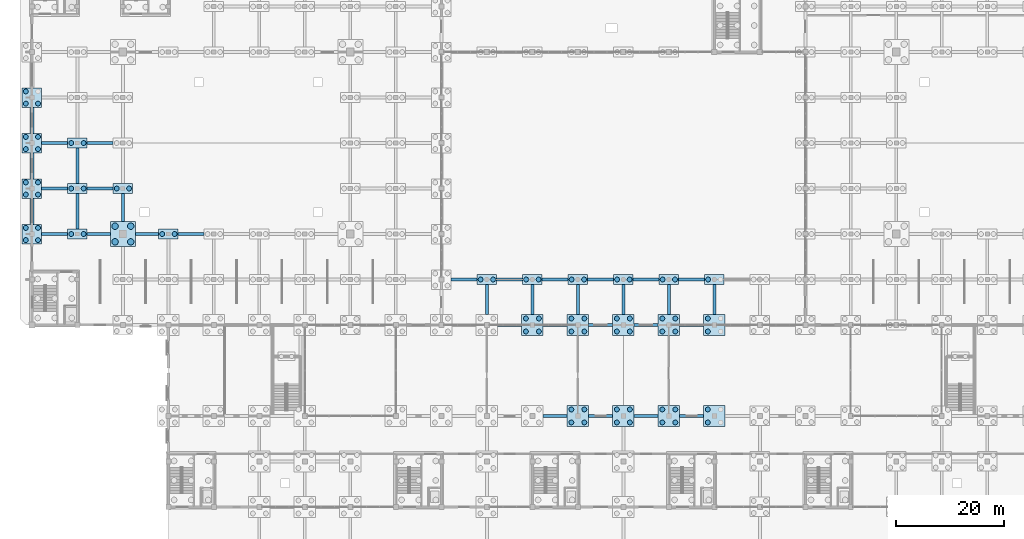
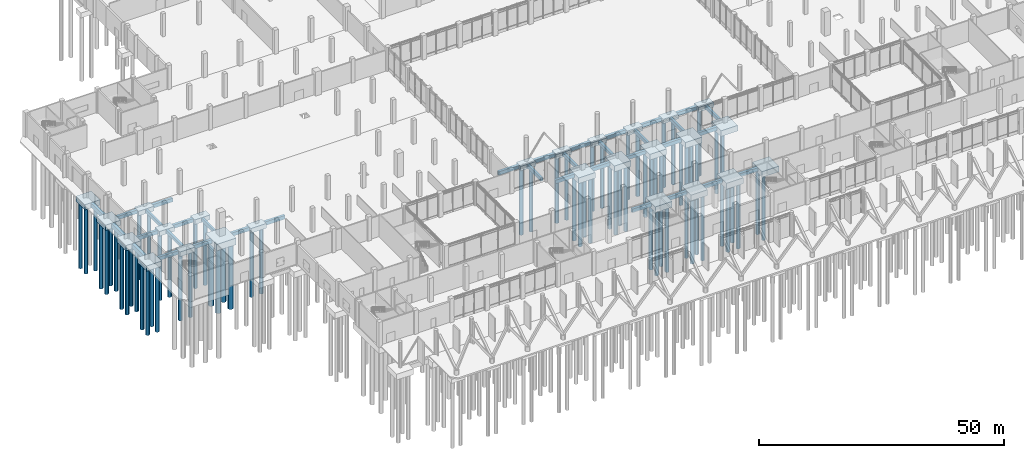
# One storey, part 4 of 72: 72 piles, 60 footings.
"""IFC4 building model written with IfcOpenShell, lengths in metres."""

from ifc_helpers import new_model, si_unit, direction, frame, origin, origin_2d, place, context, subcontext, project, spatial, rectangle, circle, extrude, material, layer, layer_set, material_profile, profile_set, type_object, element, save


model = new_model("IFC4")

# Units and contexts
model_context = context("Model", 3, precision=1e-05, world=origin(), true_north=direction((0.0, 1.0)))
body_context = subcontext(model_context, "Body", "Model", "MODEL_VIEW")
ifc_project = project(units=[si_unit("LENGTHUNIT", "METRE"), si_unit("AREAUNIT", "SQUARE_METRE"), si_unit("VOLUMEUNIT", "CUBIC_METRE"), si_unit("PLANEANGLEUNIT", "RADIAN"), si_unit("MASSUNIT", "GRAM", prefix="KILO")], contexts=[model_context])

# Site, building, storey
site_placement = place(None, origin())
site = spatial("IfcSite", under=ifc_project, at=site_placement, CompositionType="ELEMENT")
building_placement = place(site_placement, origin())
building = spatial("IfcBuilding", under=site, at=building_placement, Name="Qawsi Khor Wholesale Market", CompositionType="ELEMENT")
storey_placement = place(building_placement, origin())
storey = spatial("IfcBuildingStorey", under=building, at=storey_placement, Name="L00", CompositionType="ELEMENT", Elevation=0.0)

# Piles
ifc_material = material(Name="Concrete C45/55", Category="concrete")
ifc_material_profile_1 = material_profile(ifc_material, circle(Radius=0.60009765625, at=origin_2d()), Name="PILE D1200")
ifc_profile_set_1 = profile_set([ifc_material_profile_1], Name="Concrete C45/55")
pile_type_1 = type_object("IfcPileType", Name="Bored Pile D1200 C45/55", PredefinedType="BORED", material=ifc_profile_set_1)
for number, where, z_axis, x_axis, name in (
    (1, (15.35009765625, 57.35009765625, -1.93994140625), (0.0, 0.0, -1.0), (1.0, 0.0, 0.0), "Mega-column pile 02_+07-1"),
    (2, (18.25, 57.35009765625, -1.93994140625), (0.0, 0.0, -1.0), (1.0, 0.0, 0.0), "Mega-column pile 02_+07-2"),
    (3, (15.35009765625, 60.25, -1.93994140625), (0.0, 0.0, -1.0), (1.0, 0.0, 0.0), "Mega-column pile 02_+07-3"),
    (4, (18.25, 60.25, -1.93994140625), (0.0, 0.0, -1.0), (1.0, 0.0, 0.0), "Mega-column pile 02_+07-4"),
):
    element("IfcPile", number, at=place(storey_placement, frame(where, z_axis=z_axis, x_axis=x_axis)), inside=storey, type_object=pile_type_1, Name=name, PredefinedType="BORED", context=body_context, shape_type="SweptSolid", body=[
        extrude(circle(Radius=0.60009765625, at=origin_2d()), origin(), (0.0, 0.0, 1.0), 16.06005859375),
    ])
ifc_material_profile_2 = material_profile(ifc_material, circle(Radius=0.449951171875, at=origin_2d()), Name="PILE D900")
ifc_profile_set_2 = profile_set([ifc_material_profile_2], Name="Concrete C45/55")
pile_type_2 = type_object("IfcPileType", Name="Bored Pile D900 C45/55", PredefinedType="BORED", material=ifc_profile_set_2)
for number, where, z_axis, x_axis, name in (
    (5, (-1.125, 57.675048828125, -1.610107421875), (0.0, 0.0, -1.0), (1.0, 0.0, 0.0), "Bored pile 00_+07-1"),
    (6, (1.125, 57.675048828125, -1.610107421875), (0.0, 0.0, -1.0), (1.0, 0.0, 0.0), "Bored pile 00_+07-2"),
    (7, (-1.125, 59.925048828125, -1.610107421875), (0.0, 0.0, -1.0), (1.0, 0.0, 0.0), "Bored pile 00_+07-3"),
    (8, (1.125, 59.925048828125, -1.610107421875), (0.0, 0.0, -1.0), (1.0, 0.0, 0.0), "Bored pile 00_+07-4"),
    (9, (-1.125, 66.074951171875, -1.610107421875), (0.0, 0.0, -1.0), (1.0, 0.0, 0.0), "Bored pile 00_+08-1"),
    (10, (1.125, 66.074951171875, -1.610107421875), (0.0, 0.0, -1.0), (1.0, 0.0, 0.0), "Bored pile 00_+08-2"),
    (11, (-1.125, 68.324951171875, -1.610107421875), (0.0, 0.0, -1.0), (1.0, 0.0, 0.0), "Bored pile 00_+08-3"),
    (12, (1.125, 68.324951171875, -1.610107421875), (0.0, 0.0, -1.0), (1.0, 0.0, 0.0), "Bored pile 00_+08-4"),
    (13, (-1.125, 74.47509765625, -1.610107421875), (0.0, 0.0, -1.0), (1.0, 0.0, 0.0), "Bored pile 00_+09-1"),
    (14, (1.125, 74.47509765625, -1.610107421875), (0.0, 0.0, -1.0), (1.0, 0.0, 0.0), "Bored pile 00_+09-2"),
    (15, (-1.125, 76.72509765625, -1.610107421875), (0.0, 0.0, -1.0), (1.0, 0.0, 0.0), "Bored pile 00_+09-3"),
    (16, (1.125, 76.72509765625, -1.610107421875), (0.0, 0.0, -1.0), (1.0, 0.0, 0.0), "Bored pile 00_+09-4"),
    (17, (-1.125, 82.875, -1.610107421875), (0.0, 0.0, -1.0), (1.0, 0.0, 0.0), "Bored pile 00_+10-1"),
    (18, (1.125, 82.875, -1.610107421875), (0.0, 0.0, -1.0), (1.0, 0.0, 0.0), "Bored pile 00_+10-2"),
    (19, (-1.125, 85.125, -1.610107421875), (0.0, 0.0, -1.0), (1.0, 0.0, 0.0), "Bored pile 00_+10-3"),
):
    element("IfcPile", number, at=place(storey_placement, frame(where, z_axis=z_axis, x_axis=x_axis)), inside=storey, type_object=pile_type_2, Name=name, PredefinedType="BORED", context=body_context, shape_type="SweptSolid", body=[
        extrude(circle(Radius=0.449951171875, at=origin_2d()), origin(), (0.0, 0.0, 1.0), 16.389892578125),
    ])
for number, where, z_axis, x_axis, name in (
    (20, (7.25, 58.800048828125, -1.5), (0.0, 0.0, -1.0), (1.0, 0.0, 0.0), "Bored pile 01_+07-1"),
    (21, (9.550048828125, 58.800048828125, -1.5), (0.0, 0.0, -1.0), (1.0, 0.0, 0.0), "Bored pile 01_+07-2"),
    (22, (7.25, 67.199951171875, -1.5), (0.0, 0.0, -1.0), (1.0, 0.0, 0.0), "Bored pile 01_+08-1"),
    (23, (9.550048828125, 67.199951171875, -1.5), (0.0, 0.0, -1.0), (1.0, 0.0, 0.0), "Bored pile 01_+08-2"),
    (24, (7.25, 75.60009765625, -1.5), (0.0, 0.0, -1.0), (1.0, 0.0, 0.0), "Bored pile 01_+09-1"),
    (25, (9.550048828125, 75.60009765625, -1.5), (0.0, 0.0, -1.0), (1.0, 0.0, 0.0), "Bored pile 01_+09-2"),
    (26, (15.64990234375, 67.199951171875, -1.5), (0.0, 0.0, -1.0), (1.0, 0.0, 0.0), "Bored pile 02_+08-1"),
    (27, (17.949951171875, 67.199951171875, -1.5), (0.0, 0.0, -1.0), (1.0, 0.0, 0.0), "Bored pile 02_+08-2"),
    (28, (24.050048828125, 58.800048828125, -1.5), (0.0, 0.0, -1.0), (1.0, 0.0, 0.0), "Bored pile 03_+07-1"),
    (29, (26.35009765625, 58.800048828125, -1.5), (0.0, 0.0, -1.0), (1.0, 0.0, 0.0), "Bored pile 03_+07-2"),
    (30, (82.85009765625, 50.39990234375, -1.5), (0.0, 0.0, -1.0), (1.0, 0.0, 0.0), "Bored pile 10_+06-1"),
    (31, (85.14990234375, 50.39990234375, -1.5), (0.0, 0.0, -1.0), (1.0, 0.0, 0.0), "Bored pile 10_+06-2"),
):
    element("IfcPile", number, at=place(storey_placement, frame(where, z_axis=z_axis, x_axis=x_axis)), inside=storey, type_object=pile_type_2, Name=name, PredefinedType="BORED", context=body_context, shape_type="SweptSolid", body=[
        extrude(circle(Radius=0.449951171875, at=origin_2d()), origin(), (0.0, 0.0, 1.0), 16.5),
    ])
for number, where, z_axis, x_axis, name in (
    (32, (91.199951171875, 40.800048828125, -1.72998046875), (0.0, 0.0, -1.0), (1.0, 0.0, 0.0), "Bored pile 11_+05-1"),
    (33, (93.60009765625, 40.800048828125, -1.72998046875), (0.0, 0.0, -1.0), (1.0, 0.0, 0.0), "Bored pile 11_+05-2"),
    (34, (91.199951171875, 43.199951171875, -1.72998046875), (0.0, 0.0, -1.0), (1.0, 0.0, 0.0), "Bored pile 11_+05-3"),
    (35, (93.60009765625, 43.199951171875, -1.72998046875), (0.0, 0.0, -1.0), (1.0, 0.0, 0.0), "Bored pile 11_+05-4"),
):
    element("IfcPile", number, at=place(storey_placement, frame(where, z_axis=z_axis, x_axis=x_axis)), inside=storey, type_object=pile_type_2, Name=name, PredefinedType="BORED", context=body_context, shape_type="SweptSolid", body=[
        extrude(circle(Radius=0.449951171875, at=origin_2d()), origin(), (0.0, 0.0, 1.0), 16.27001953125),
    ])
for number, where, z_axis, x_axis, name in (
    (36, (91.25, 50.39990234375, -1.5), (0.0, 0.0, -1.0), (1.0, 0.0, 0.0), "Bored pile 11_+06-1"),
    (37, (93.550048828125, 50.39990234375, -1.5), (0.0, 0.0, -1.0), (1.0, 0.0, 0.0), "Bored pile 11_+06-2"),
):
    element("IfcPile", number, at=place(storey_placement, frame(where, z_axis=z_axis, x_axis=x_axis)), inside=storey, type_object=pile_type_2, Name=name, PredefinedType="BORED", context=body_context, shape_type="SweptSolid", body=[
        extrude(circle(Radius=0.449951171875, at=origin_2d()), origin(), (0.0, 0.0, 1.0), 16.5),
    ])
for number, where, z_axis, x_axis, name in (
    (38, (99.60009765625, 24.0, -1.72998046875), (0.0, 0.0, -1.0), (1.0, 0.0, 0.0), "Bored pile 12_+03-1"),
    (39, (102.0, 24.0, -1.72998046875), (0.0, 0.0, -1.0), (1.0, 0.0, 0.0), "Bored pile 12_+03-2"),
    (40, (99.60009765625, 26.39990234375, -1.72998046875), (0.0, 0.0, -1.0), (1.0, 0.0, 0.0), "Bored pile 12_+03-3"),
    (41, (102.0, 26.39990234375, -1.72998046875), (0.0, 0.0, -1.0), (1.0, 0.0, 0.0), "Bored pile 12_+03-4"),
    (42, (99.60009765625, 40.800048828125, -1.72998046875), (0.0, 0.0, -1.0), (1.0, 0.0, 0.0), "Bored pile 12_+05-1"),
    (43, (102.0, 40.800048828125, -1.72998046875), (0.0, 0.0, -1.0), (1.0, 0.0, 0.0), "Bored pile 12_+05-2"),
    (44, (99.60009765625, 43.199951171875, -1.72998046875), (0.0, 0.0, -1.0), (1.0, 0.0, 0.0), "Bored pile 12_+05-3"),
    (45, (102.0, 43.199951171875, -1.72998046875), (0.0, 0.0, -1.0), (1.0, 0.0, 0.0), "Bored pile 12_+05-4"),
):
    element("IfcPile", number, at=place(storey_placement, frame(where, z_axis=z_axis, x_axis=x_axis)), inside=storey, type_object=pile_type_2, Name=name, PredefinedType="BORED", context=body_context, shape_type="SweptSolid", body=[
        extrude(circle(Radius=0.449951171875, at=origin_2d()), origin(), (0.0, 0.0, 1.0), 16.27001953125),
    ])
for number, where, z_axis, x_axis, name in (
    (46, (99.64990234375, 50.39990234375, -1.5), (0.0, 0.0, -1.0), (1.0, 0.0, 0.0), "Bored pile 12_+06-1"),
    (47, (101.949951171875, 50.39990234375, -1.5), (0.0, 0.0, -1.0), (1.0, 0.0, 0.0), "Bored pile 12_+06-2"),
):
    element("IfcPile", number, at=place(storey_placement, frame(where, z_axis=z_axis, x_axis=x_axis)), inside=storey, type_object=pile_type_2, Name=name, PredefinedType="BORED", context=body_context, shape_type="SweptSolid", body=[
        extrude(circle(Radius=0.449951171875, at=origin_2d()), origin(), (0.0, 0.0, 1.0), 16.5),
    ])
for number, where, z_axis, x_axis, name in (
    (48, (108.0, 24.0, -1.72998046875), (0.0, 0.0, -1.0), (1.0, 0.0, 0.0), "Bored pile 13_+03-1"),
    (49, (110.39990234375, 24.0, -1.72998046875), (0.0, 0.0, -1.0), (1.0, 0.0, 0.0), "Bored pile 13_+03-2"),
    (50, (108.0, 26.39990234375, -1.72998046875), (0.0, 0.0, -1.0), (1.0, 0.0, 0.0), "Bored pile 13_+03-3"),
    (51, (110.39990234375, 26.39990234375, -1.72998046875), (0.0, 0.0, -1.0), (1.0, 0.0, 0.0), "Bored pile 13_+03-4"),
    (52, (108.0, 40.800048828125, -1.72998046875), (0.0, 0.0, -1.0), (1.0, 0.0, 0.0), "Bored pile 13_+05-1"),
    (53, (110.39990234375, 40.800048828125, -1.72998046875), (0.0, 0.0, -1.0), (1.0, 0.0, 0.0), "Bored pile 13_+05-2"),
    (54, (108.0, 43.199951171875, -1.72998046875), (0.0, 0.0, -1.0), (1.0, 0.0, 0.0), "Bored pile 13_+05-3"),
    (55, (110.39990234375, 43.199951171875, -1.72998046875), (0.0, 0.0, -1.0), (1.0, 0.0, 0.0), "Bored pile 13_+05-4"),
):
    element("IfcPile", number, at=place(storey_placement, frame(where, z_axis=z_axis, x_axis=x_axis)), inside=storey, type_object=pile_type_2, Name=name, PredefinedType="BORED", context=body_context, shape_type="SweptSolid", body=[
        extrude(circle(Radius=0.449951171875, at=origin_2d()), origin(), (0.0, 0.0, 1.0), 16.27001953125),
    ])
for number, where, z_axis, x_axis, name in (
    (56, (108.050048828125, 50.39990234375, -1.5), (0.0, 0.0, -1.0), (1.0, 0.0, 0.0), "Bored pile 13_+06-1"),
    (57, (110.35009765625, 50.39990234375, -1.5), (0.0, 0.0, -1.0), (1.0, 0.0, 0.0), "Bored pile 13_+06-2"),
):
    element("IfcPile", number, at=place(storey_placement, frame(where, z_axis=z_axis, x_axis=x_axis)), inside=storey, type_object=pile_type_2, Name=name, PredefinedType="BORED", context=body_context, shape_type="SweptSolid", body=[
        extrude(circle(Radius=0.449951171875, at=origin_2d()), origin(), (0.0, 0.0, 1.0), 16.5),
    ])
for number, where, z_axis, x_axis, name in (
    (58, (116.39990234375, 24.0, -1.72998046875), (0.0, 0.0, -1.0), (1.0, 0.0, 0.0), "Bored pile 14_+03-1"),
    (59, (118.800048828125, 24.0, -1.72998046875), (0.0, 0.0, -1.0), (1.0, 0.0, 0.0), "Bored pile 14_+03-2"),
    (60, (116.39990234375, 26.39990234375, -1.72998046875), (0.0, 0.0, -1.0), (1.0, 0.0, 0.0), "Bored pile 14_+03-3"),
    (61, (118.800048828125, 26.39990234375, -1.72998046875), (0.0, 0.0, -1.0), (1.0, 0.0, 0.0), "Bored pile 14_+03-4"),
    (62, (116.39990234375, 40.800048828125, -1.72998046875), (0.0, 0.0, -1.0), (1.0, 0.0, 0.0), "Bored pile 14_+05-1"),
    (63, (118.800048828125, 40.800048828125, -1.72998046875), (0.0, 0.0, -1.0), (1.0, 0.0, 0.0), "Bored pile 14_+05-2"),
    (64, (116.39990234375, 43.199951171875, -1.72998046875), (0.0, 0.0, -1.0), (1.0, 0.0, 0.0), "Bored pile 14_+05-3"),
    (65, (118.800048828125, 43.199951171875, -1.72998046875), (0.0, 0.0, -1.0), (1.0, 0.0, 0.0), "Bored pile 14_+05-4"),
):
    element("IfcPile", number, at=place(storey_placement, frame(where, z_axis=z_axis, x_axis=x_axis)), inside=storey, type_object=pile_type_2, Name=name, PredefinedType="BORED", context=body_context, shape_type="SweptSolid", body=[
        extrude(circle(Radius=0.449951171875, at=origin_2d()), origin(), (0.0, 0.0, 1.0), 16.27001953125),
    ])
for number, where, z_axis, x_axis, name in (
    (66, (116.449951171875, 50.39990234375, -1.5), (0.0, 0.0, -1.0), (1.0, 0.0, 0.0), "Bored pile 14_+06-1"),
    (67, (118.75, 50.39990234375, -1.5), (0.0, 0.0, -1.0), (1.0, 0.0, 0.0), "Bored pile 14_+06-2"),
):
    element("IfcPile", number, at=place(storey_placement, frame(where, z_axis=z_axis, x_axis=x_axis)), inside=storey, type_object=pile_type_2, Name=name, PredefinedType="BORED", context=body_context, shape_type="SweptSolid", body=[
        extrude(circle(Radius=0.449951171875, at=origin_2d()), origin(), (0.0, 0.0, 1.0), 16.5),
    ])
for number, where, z_axis, x_axis, name in (
    (68, (124.800048828125, 24.0, -1.72998046875), (0.0, 0.0, -1.0), (1.0, 0.0, 0.0), "Bored pile 15_+03-1"),
    (69, (124.800048828125, 26.39990234375, -1.72998046875), (0.0, 0.0, -1.0), (1.0, 0.0, 0.0), "Bored pile 15_+03-3"),
    (70, (124.800048828125, 40.800048828125, -1.72998046875), (0.0, 0.0, -1.0), (1.0, 0.0, 0.0), "Bored pile 15_+05-1"),
    (71, (124.800048828125, 43.199951171875, -1.72998046875), (0.0, 0.0, -1.0), (1.0, 0.0, 0.0), "Bored pile 15_+05-3"),
):
    element("IfcPile", number, at=place(storey_placement, frame(where, z_axis=z_axis, x_axis=x_axis)), inside=storey, type_object=pile_type_2, Name=name, PredefinedType="BORED", context=body_context, shape_type="SweptSolid", body=[
        extrude(circle(Radius=0.449951171875, at=origin_2d()), origin(), (0.0, 0.0, 1.0), 16.27001953125),
    ])
pile_placement = place(storey_placement, frame((124.85009765625, 50.39990234375, -1.5), z_axis=(0.0, 0.0, -1.0), x_axis=(1.0, 0.0, 0.0)))
element("IfcPile", 72, at=pile_placement, inside=storey, type_object=pile_type_2, Name="Bored pile 15_+06-1", PredefinedType="BORED", context=body_context, shape_type="SweptSolid", body=[
    extrude(circle(Radius=0.449951171875, at=origin_2d()), origin(), (0.0, 0.0, 1.0), 16.5),
])

# Footings
ifc_material_profile_3 = material_profile(ifc_material, rectangle(XDim=0.60009765625, YDim=0.89990234375, at=origin_2d()), Name="RC 600x900")
ifc_profile_set_3 = profile_set([ifc_material_profile_3], Name="Concrete C45/55")
footing_type_1 = type_object("IfcFootingType", Name="Ground Tie-Beam GTB 600x900", PredefinedType="FOOTING_BEAM", material=ifc_profile_set_3)
for number, where, z_axis, x_axis, name in (
    (73, (1.800048828125, 58.800048828125, -0.840087890625), (1.0, 0.0, 0.0), (0.0, 1.0, 0.0), "Ground tie-beam X 0-1 at Y=58.8"),
    (74, (1.800048828125, 67.199951171875, -0.840087890625), (1.0, 0.0, 0.0), (0.0, 1.0, 0.0), "Ground tie-beam X 0-1 at Y=67.2"),
    (75, (1.800048828125, 75.60009765625, -0.840087890625), (1.0, 0.0, 0.0), (0.0, 1.0, 0.0), "Ground tie-beam X 0-1 at Y=75.6"),
):
    element("IfcFooting", number, at=place(storey_placement, frame(where, z_axis=z_axis, x_axis=x_axis)), inside=storey, type_object=footing_type_1, Name=name, PredefinedType="FOOTING_BEAM", context=body_context, shape_type="SweptSolid", body=[
        extrude(rectangle(XDim=0.60009765625, YDim=0.89990234375, at=origin_2d()), origin(), (0.0, 0.0, 1.0), 4.800048828125),
    ])
footing_1_placement = place(storey_placement, frame((10.199951171875, 58.800048828125, -0.840087890625), z_axis=(1.0, 0.0, 0.0), x_axis=(0.0, 1.0, 0.0)))
element("IfcFooting", 76, at=footing_1_placement, inside=storey, type_object=footing_type_1, Name="Ground tie-beam X 1-2 at Y=58.8", PredefinedType="FOOTING_BEAM", context=body_context, shape_type="SweptSolid", body=[
    extrude(rectangle(XDim=0.60009765625, YDim=0.89990234375, at=origin_2d()), origin(), (0.0, 0.0, 1.0), 4.300048828125),
])
for number, where, z_axis, x_axis, name in (
    (77, (10.199951171875, 67.199951171875, -0.840087890625), (1.0, 0.0, 0.0), (0.0, 1.0, 0.0), "Ground tie-beam X 1-2 at Y=67.2"),
    (78, (10.199951171875, 75.60009765625, -0.840087890625), (1.0, 0.0, 0.0), (0.0, 1.0, 0.0), "Ground tie-beam X 1-2 at Y=75.6"),
):
    element("IfcFooting", number, at=place(storey_placement, frame(where, z_axis=z_axis, x_axis=x_axis)), inside=storey, type_object=footing_type_1, Name=name, PredefinedType="FOOTING_BEAM", context=body_context, shape_type="SweptSolid", body=[
        extrude(rectangle(XDim=0.60009765625, YDim=0.89990234375, at=origin_2d()), origin(), (0.0, 0.0, 1.0), 4.800048828125),
    ])
footing_2_placement = place(storey_placement, frame((19.10009765625, 58.800048828125, -0.840087890625), z_axis=(1.0, 0.0, 0.0), x_axis=(0.0, 1.0, 0.0)))
element("IfcFooting", 79, at=footing_2_placement, inside=storey, type_object=footing_type_1, Name="Ground tie-beam X 2-3 at Y=58.8", PredefinedType="FOOTING_BEAM", context=body_context, shape_type="SweptSolid", body=[
    extrude(rectangle(XDim=0.60009765625, YDim=0.89990234375, at=origin_2d()), origin(), (0.0, 0.0, 1.0), 4.2998046875),
])
for number, where, z_axis, x_axis, name in (
    (80, (27.0, 58.800048828125, -0.840087890625), (1.0, 0.0, 0.0), (0.0, 1.0, 0.0), "Ground tie-beam X 3-4 at Y=58.8"),
    (81, (77.39990234375, 50.39990234375, -0.840087890625), (1.0, 0.0, 0.0), (0.0, 1.0, 0.0), "Ground tie-beam X 9-10 at Y=50.4"),
):
    element("IfcFooting", number, at=place(storey_placement, frame(where, z_axis=z_axis, x_axis=x_axis)), inside=storey, type_object=footing_type_1, Name=name, PredefinedType="FOOTING_BEAM", context=body_context, shape_type="SweptSolid", body=[
        extrude(rectangle(XDim=0.60009765625, YDim=0.89990234375, at=origin_2d()), origin(), (0.0, 0.0, 1.0), 4.800048828125),
    ])
footing_3_placement = place(storey_placement, frame((85.97509765625, 42.0, -0.840087890625), z_axis=(1.0, 0.0, 0.0), x_axis=(0.0, 1.0, 0.0)))
element("IfcFooting", 82, at=footing_3_placement, inside=storey, type_object=footing_type_1, Name="Ground tie-beam X 10-11 at Y=42.0", PredefinedType="FOOTING_BEAM", context=body_context, shape_type="SweptSolid", body=[
    extrude(rectangle(XDim=0.60009765625, YDim=0.89990234375, at=origin_2d()), origin(), (0.0, 0.0, 1.0), 4.449951171875),
])
footing_4_placement = place(storey_placement, frame((85.800048828125, 50.39990234375, -0.840087890625), z_axis=(1.0, 0.0, 0.0), x_axis=(0.0, 1.0, 0.0)))
element("IfcFooting", 83, at=footing_4_placement, inside=storey, type_object=footing_type_1, Name="Ground tie-beam X 10-11 at Y=50.4", PredefinedType="FOOTING_BEAM", context=body_context, shape_type="SweptSolid", body=[
    extrude(rectangle(XDim=0.60009765625, YDim=0.89990234375, at=origin_2d()), origin(), (0.0, 0.0, 1.0), 4.800048828125),
])
for number, where, z_axis, x_axis, name in (
    (84, (94.375, 25.199951171875, -0.840087890625), (1.0, 0.0, 0.0), (0.0, 1.0, 0.0), "Ground tie-beam X 11-12 at Y=25.2"),
    (85, (94.375, 42.0, -0.840087890625), (1.0, 0.0, 0.0), (0.0, 1.0, 0.0), "Ground tie-beam X 11-12 at Y=42.0"),
):
    element("IfcFooting", number, at=place(storey_placement, frame(where, z_axis=z_axis, x_axis=x_axis)), inside=storey, type_object=footing_type_1, Name=name, PredefinedType="FOOTING_BEAM", context=body_context, shape_type="SweptSolid", body=[
        extrude(rectangle(XDim=0.60009765625, YDim=0.89990234375, at=origin_2d()), origin(), (0.0, 0.0, 1.0), 4.449951171875),
    ])
footing_5_placement = place(storey_placement, frame((94.199951171875, 50.39990234375, -0.840087890625), z_axis=(1.0, 0.0, 0.0), x_axis=(0.0, 1.0, 0.0)))
element("IfcFooting", 86, at=footing_5_placement, inside=storey, type_object=footing_type_1, Name="Ground tie-beam X 11-12 at Y=50.4", PredefinedType="FOOTING_BEAM", context=body_context, shape_type="SweptSolid", body=[
    extrude(rectangle(XDim=0.60009765625, YDim=0.89990234375, at=origin_2d()), origin(), (0.0, 0.0, 1.0), 4.800048828125),
])
for number, where, z_axis, x_axis, name in (
    (87, (102.77490234375, 25.199951171875, -0.840087890625), (1.0, 0.0, 0.0), (0.0, 1.0, 0.0), "Ground tie-beam X 12-13 at Y=25.2"),
    (88, (102.77490234375, 42.0, -0.840087890625), (1.0, 0.0, 0.0), (0.0, 1.0, 0.0), "Ground tie-beam X 12-13 at Y=42.0"),
):
    element("IfcFooting", number, at=place(storey_placement, frame(where, z_axis=z_axis, x_axis=x_axis)), inside=storey, type_object=footing_type_1, Name=name, PredefinedType="FOOTING_BEAM", context=body_context, shape_type="SweptSolid", body=[
        extrude(rectangle(XDim=0.60009765625, YDim=0.89990234375, at=origin_2d()), origin(), (0.0, 0.0, 1.0), 4.4501953125),
    ])
footing_6_placement = place(storey_placement, frame((102.60009765625, 50.39990234375, -0.840087890625), z_axis=(1.0, 0.0, 0.0), x_axis=(0.0, 1.0, 0.0)))
element("IfcFooting", 89, at=footing_6_placement, inside=storey, type_object=footing_type_1, Name="Ground tie-beam X 12-13 at Y=50.4", PredefinedType="FOOTING_BEAM", context=body_context, shape_type="SweptSolid", body=[
    extrude(rectangle(XDim=0.60009765625, YDim=0.89990234375, at=origin_2d()), origin(), (0.0, 0.0, 1.0), 4.7998046875),
])
for number, where, z_axis, x_axis, name in (
    (90, (111.175048828125, 25.199951171875, -0.840087890625), (1.0, 0.0, 0.0), (0.0, 1.0, 0.0), "Ground tie-beam X 13-14 at Y=25.2"),
    (91, (111.175048828125, 42.0, -0.840087890625), (1.0, 0.0, 0.0), (0.0, 1.0, 0.0), "Ground tie-beam X 13-14 at Y=42.0"),
):
    element("IfcFooting", number, at=place(storey_placement, frame(where, z_axis=z_axis, x_axis=x_axis)), inside=storey, type_object=footing_type_1, Name=name, PredefinedType="FOOTING_BEAM", context=body_context, shape_type="SweptSolid", body=[
        extrude(rectangle(XDim=0.60009765625, YDim=0.89990234375, at=origin_2d()), origin(), (0.0, 0.0, 1.0), 4.449951171875),
    ])
footing_7_placement = place(storey_placement, frame((111.0, 50.39990234375, -0.840087890625), z_axis=(1.0, 0.0, 0.0), x_axis=(0.0, 1.0, 0.0)))
element("IfcFooting", 92, at=footing_7_placement, inside=storey, type_object=footing_type_1, Name="Ground tie-beam X 13-14 at Y=50.4", PredefinedType="FOOTING_BEAM", context=body_context, shape_type="SweptSolid", body=[
    extrude(rectangle(XDim=0.60009765625, YDim=0.89990234375, at=origin_2d()), origin(), (0.0, 0.0, 1.0), 4.800048828125),
])
for number, where, z_axis, x_axis, name in (
    (93, (119.574951171875, 25.199951171875, -0.840087890625), (1.0, 0.0, 0.0), (0.0, 1.0, 0.0), "Ground tie-beam X 14-15 at Y=25.2"),
    (94, (119.574951171875, 42.0, -0.840087890625), (1.0, 0.0, 0.0), (0.0, 1.0, 0.0), "Ground tie-beam X 14-15 at Y=42.0"),
):
    element("IfcFooting", number, at=place(storey_placement, frame(where, z_axis=z_axis, x_axis=x_axis)), inside=storey, type_object=footing_type_1, Name=name, PredefinedType="FOOTING_BEAM", context=body_context, shape_type="SweptSolid", body=[
        extrude(rectangle(XDim=0.60009765625, YDim=0.89990234375, at=origin_2d()), origin(), (0.0, 0.0, 1.0), 4.449951171875),
    ])
footing_8_placement = place(storey_placement, frame((119.39990234375, 50.39990234375, -0.840087890625), z_axis=(1.0, 0.0, 0.0), x_axis=(0.0, 1.0, 0.0)))
element("IfcFooting", 95, at=footing_8_placement, inside=storey, type_object=footing_type_1, Name="Ground tie-beam X 14-15 at Y=50.4", PredefinedType="FOOTING_BEAM", context=body_context, shape_type="SweptSolid", body=[
    extrude(rectangle(XDim=0.60009765625, YDim=0.89990234375, at=origin_2d()), origin(), (0.0, 0.0, 1.0), 4.800048828125),
])
ifc_material_profile_4 = material_profile(ifc_material, rectangle(XDim=0.5, YDim=0.800048828125, at=origin_2d()), Name="RC 500x800")
ifc_profile_set_4 = profile_set([ifc_material_profile_4], Name="Concrete C45/55")
footing_type_2 = type_object("IfcFootingType", Name="Hall Tie-Beam GTB 500x800", PredefinedType="FOOTING_BEAM", material=ifc_profile_set_4)
footing_9_placement = place(storey_placement, frame((8.39990234375, 59.699951171875, -0.7900390625), z_axis=(0.0, 1.0, 0.0), x_axis=(-1.0, 0.0, 0.0)))
element("IfcFooting", 96, at=footing_9_placement, inside=storey, type_object=footing_type_2, Name="Ground tie-beam Y 7-8 at X=8.4", PredefinedType="FOOTING_BEAM", context=body_context, shape_type="SweptSolid", body=[
    extrude(rectangle(XDim=0.5, YDim=0.800048828125, at=origin_2d()), origin(), (0.0, 0.0, 1.0), 6.60009765625),
])
footing_10_placement = place(storey_placement, frame((8.39990234375, 68.10009765625, -0.7900390625), z_axis=(0.0, 1.0, 0.0), x_axis=(-1.0, 0.0, 0.0)))
element("IfcFooting", 97, at=footing_10_placement, inside=storey, type_object=footing_type_2, Name="Ground tie-beam Y 8-9 at X=8.4", PredefinedType="FOOTING_BEAM", context=body_context, shape_type="SweptSolid", body=[
    extrude(rectangle(XDim=0.5, YDim=0.800048828125, at=origin_2d()), origin(), (0.0, 0.0, 1.0), 6.599853515625),
])
footing_11_placement = place(storey_placement, frame((16.800048828125, 61.10009765625, -0.7900390625), z_axis=(0.0, 1.0, 0.0), x_axis=(-1.0, 0.0, 0.0)))
element("IfcFooting", 98, at=footing_11_placement, inside=storey, type_object=footing_type_2, Name="Ground tie-beam Y 7-8 at X=16.8", PredefinedType="FOOTING_BEAM", context=body_context, shape_type="SweptSolid", body=[
    extrude(rectangle(XDim=0.5, YDim=0.800048828125, at=origin_2d()), origin(), (0.0, 0.0, 1.0), 5.199951171875),
])
ifc_material_profile_5 = material_profile(ifc_material, rectangle(XDim=0.550048828125, YDim=0.85009765625, at=origin_2d()), Name="RC 550x850")
ifc_profile_set_5 = profile_set([ifc_material_profile_5], Name="Concrete C45/55")
footing_type_3 = type_object("IfcFootingType", Name="Internal Tie-Beam GTB 550x850", PredefinedType="FOOTING_BEAM", material=ifc_profile_set_5)
for number, where, z_axis, x_axis, name in (
    (99, (84.0, 43.97509765625, -0.81494140625), (0.0, 1.0, 0.0), (-1.0, 0.0, 0.0), "Ground tie-beam Y 5-6 at X=84.0"),
    (100, (92.39990234375, 43.97509765625, -0.81494140625), (0.0, 1.0, 0.0), (-1.0, 0.0, 0.0), "Ground tie-beam Y 5-6 at X=92.4"),
    (101, (100.800048828125, 43.97509765625, -0.81494140625), (0.0, 1.0, 0.0), (-1.0, 0.0, 0.0), "Ground tie-beam Y 5-6 at X=100.8"),
    (102, (109.199951171875, 43.97509765625, -0.81494140625), (0.0, 1.0, 0.0), (-1.0, 0.0, 0.0), "Ground tie-beam Y 5-6 at X=109.2"),
    (103, (117.60009765625, 43.97509765625, -0.81494140625), (0.0, 1.0, 0.0), (-1.0, 0.0, 0.0), "Ground tie-beam Y 5-6 at X=117.6"),
    (104, (126.0, 43.97509765625, -0.81494140625), (0.0, 1.0, 0.0), (-1.0, 0.0, 0.0), "Ground tie-beam Y 5-6 at X=126.0"),
):
    element("IfcFooting", number, at=place(storey_placement, frame(where, z_axis=z_axis, x_axis=x_axis)), inside=storey, type_object=footing_type_3, Name=name, PredefinedType="FOOTING_BEAM", context=body_context, shape_type="SweptSolid", body=[
        extrude(rectangle(XDim=0.550048828125, YDim=0.85009765625, at=origin_2d()), origin(), (0.0, 0.0, 1.0), 5.52490234375),
    ])
ifc_layer_1 = layer(ifc_material, 1.64990234375, Name="Concrete C45/55")
ifc_layer_set_1 = layer_set([ifc_layer_1], Name="Concrete C45/55")
footing_type_4 = type_object("IfcFootingType", Name="Mega-Column Pile Cap PC-4M 4600x4600x1650", PredefinedType="PILE_CAP", material=ifc_layer_set_1)
footing_12_placement = place(storey_placement, frame((16.800048828125, 58.800048828125, -2.010009765625), z_axis=(0.0, 0.0, 1.0), x_axis=(1.0, 0.0, 0.0)))
element("IfcFooting", 105, at=footing_12_placement, inside=storey, type_object=footing_type_4, Name="Mega-column pile cap 02_+07", PredefinedType="PILE_CAP", context=body_context, shape_type="SweptSolid", body=[
    extrude(rectangle(XDim=4.60009765625, YDim=4.60009765625, at=origin_2d()), origin(), (0.0, 0.0, 1.0), 1.64990234375),
])
ifc_material_profile_6 = material_profile(ifc_material, rectangle(XDim=0.699951171875, YDim=1.10009765625, at=origin_2d()), Name="RC 700x1100")
ifc_profile_set_6 = profile_set([ifc_material_profile_6], Name="Concrete C45/55")
footing_type_5 = type_object("IfcFootingType", Name="Perimeter Strip Footing SF 700x1100", PredefinedType="STRIP_FOOTING", material=ifc_profile_set_6)
footing_13_placement = place(storey_placement, frame((0.0, 60.60009765625, -0.93994140625), z_axis=(0.0, 1.0, 0.0), x_axis=(-1.0, 0.0, 0.0)))
element("IfcFooting", 106, at=footing_13_placement, inside=storey, type_object=footing_type_5, Name="Ground tie-beam Y 7-8 at X=0.0", PredefinedType="STRIP_FOOTING", context=body_context, shape_type="SweptSolid", body=[
    extrude(rectangle(XDim=0.699951171875, YDim=1.10009765625, at=origin_2d()), origin(), (0.0, 0.0, 1.0), 4.7998046875),
])
for number, where, z_axis, x_axis, name in (
    (107, (0.0, 69.0, -0.93994140625), (0.0, 1.0, 0.0), (-1.0, 0.0, 0.0), "Ground tie-beam Y 8-9 at X=0.0"),
    (108, (0.0, 77.39990234375, -0.93994140625), (0.0, 1.0, 0.0), (-1.0, 0.0, 0.0), "Ground tie-beam Y 9-10 at X=0.0"),
):
    element("IfcFooting", number, at=place(storey_placement, frame(where, z_axis=z_axis, x_axis=x_axis)), inside=storey, type_object=footing_type_5, Name=name, PredefinedType="STRIP_FOOTING", context=body_context, shape_type="SweptSolid", body=[
        extrude(rectangle(XDim=0.699951171875, YDim=1.10009765625, at=origin_2d()), origin(), (0.0, 0.0, 1.0), 4.800048828125),
    ])
ifc_layer_2 = layer(ifc_material, 1.14990234375, Name="Concrete C45/55")
ifc_layer_set_2 = layer_set([ifc_layer_2], Name="Concrete C45/55")
footing_type_6 = type_object("IfcFootingType", Name="Pile Cap PC-2P 3600x1800x1150", PredefinedType="PILE_CAP", material=ifc_layer_set_2)
for number, where, z_axis, x_axis, name in (
    (109, (8.39990234375, 58.800048828125, -1.510009765625), (0.0, 0.0, 1.0), (1.0, 0.0, 0.0), "Two-pile cap 01_+07"),
    (110, (8.39990234375, 67.199951171875, -1.510009765625), (0.0, 0.0, 1.0), (1.0, 0.0, 0.0), "Two-pile cap 01_+08"),
    (111, (8.39990234375, 75.60009765625, -1.510009765625), (0.0, 0.0, 1.0), (1.0, 0.0, 0.0), "Two-pile cap 01_+09"),
    (112, (16.800048828125, 67.199951171875, -1.510009765625), (0.0, 0.0, 1.0), (1.0, 0.0, 0.0), "Two-pile cap 02_+08"),
    (113, (25.199951171875, 58.800048828125, -1.510009765625), (0.0, 0.0, 1.0), (1.0, 0.0, 0.0), "Two-pile cap 03_+07"),
    (114, (84.0, 50.39990234375, -1.510009765625), (0.0, 0.0, 1.0), (1.0, 0.0, 0.0), "Two-pile cap 10_+06"),
    (115, (92.39990234375, 50.39990234375, -1.510009765625), (0.0, 0.0, 1.0), (1.0, 0.0, 0.0), "Two-pile cap 11_+06"),
    (116, (100.800048828125, 50.39990234375, -1.510009765625), (0.0, 0.0, 1.0), (1.0, 0.0, 0.0), "Two-pile cap 12_+06"),
    (117, (109.199951171875, 50.39990234375, -1.510009765625), (0.0, 0.0, 1.0), (1.0, 0.0, 0.0), "Two-pile cap 13_+06"),
    (118, (117.60009765625, 50.39990234375, -1.510009765625), (0.0, 0.0, 1.0), (1.0, 0.0, 0.0), "Two-pile cap 14_+06"),
    (119, (126.0, 50.39990234375, -1.510009765625), (0.0, 0.0, 1.0), (1.0, 0.0, 0.0), "Two-pile cap 15_+06"),
):
    element("IfcFooting", number, at=place(storey_placement, frame(where, z_axis=z_axis, x_axis=x_axis)), inside=storey, type_object=footing_type_6, Name=name, PredefinedType="PILE_CAP", context=body_context, shape_type="SweptSolid", body=[
        extrude(rectangle(XDim=3.60009765625, YDim=1.800048828125, at=origin_2d()), origin(), (0.0, 0.0, 1.0), 1.14990234375),
    ])
ifc_layer_3 = layer(ifc_material, 1.43994140625, Name="Concrete C45/55")
ifc_layer_set_3 = layer_set([ifc_layer_3], Name="Concrete C45/55")
footing_type_7 = type_object("IfcFootingType", Name="Pile Cap PC-4H 3950x3950x1440", PredefinedType="PILE_CAP", material=ifc_layer_set_3)
for number, where, z_axis, x_axis, name in (
    (120, (92.39990234375, 42.0, -1.800048828125), (0.0, 0.0, 1.0), (1.0, 0.0, 0.0), "Four-pile heavy cap 11_+05"),
    (121, (100.800048828125, 25.199951171875, -1.800048828125), (0.0, 0.0, 1.0), (1.0, 0.0, 0.0), "Four-pile heavy cap 12_+03"),
    (122, (100.800048828125, 42.0, -1.800048828125), (0.0, 0.0, 1.0), (1.0, 0.0, 0.0), "Four-pile heavy cap 12_+05"),
    (123, (109.199951171875, 25.199951171875, -1.800048828125), (0.0, 0.0, 1.0), (1.0, 0.0, 0.0), "Four-pile heavy cap 13_+03"),
    (124, (109.199951171875, 42.0, -1.800048828125), (0.0, 0.0, 1.0), (1.0, 0.0, 0.0), "Four-pile heavy cap 13_+05"),
    (125, (117.60009765625, 25.199951171875, -1.800048828125), (0.0, 0.0, 1.0), (1.0, 0.0, 0.0), "Four-pile heavy cap 14_+03"),
    (126, (117.60009765625, 42.0, -1.800048828125), (0.0, 0.0, 1.0), (1.0, 0.0, 0.0), "Four-pile heavy cap 14_+05"),
    (127, (126.0, 25.199951171875, -1.800048828125), (0.0, 0.0, 1.0), (1.0, 0.0, 0.0), "Four-pile heavy cap 15_+03"),
    (128, (126.0, 42.0, -1.800048828125), (0.0, 0.0, 1.0), (1.0, 0.0, 0.0), "Four-pile heavy cap 15_+05"),
):
    element("IfcFooting", number, at=place(storey_placement, frame(where, z_axis=z_axis, x_axis=x_axis)), inside=storey, type_object=footing_type_7, Name=name, PredefinedType="PILE_CAP", context=body_context, shape_type="SweptSolid", body=[
        extrude(rectangle(XDim=3.949951171875, YDim=3.949951171875, at=origin_2d()), origin(), (0.0, 0.0, 1.0), 1.43994140625),
    ])
ifc_layer_4 = layer(ifc_material, 1.320068359375, Name="Concrete C45/55")
ifc_layer_set_4 = layer_set([ifc_layer_4], Name="Concrete C45/55")
footing_type_8 = type_object("IfcFootingType", Name="Pile Cap PC-4P 3600x3600x1320", PredefinedType="PILE_CAP", material=ifc_layer_set_4)
for number, where, z_axis, x_axis, name in (
    (129, (0.0, 58.800048828125, -1.68017578125), (0.0, 0.0, 1.0), (1.0, 0.0, 0.0), "Four-pile cap 00_+07"),
    (130, (0.0, 67.199951171875, -1.68017578125), (0.0, 0.0, 1.0), (1.0, 0.0, 0.0), "Four-pile cap 00_+08"),
    (131, (0.0, 75.60009765625, -1.68017578125), (0.0, 0.0, 1.0), (1.0, 0.0, 0.0), "Four-pile cap 00_+09"),
    (132, (0.0, 84.0, -1.68017578125), (0.0, 0.0, 1.0), (1.0, 0.0, 0.0), "Four-pile cap 00_+10"),
):
    element("IfcFooting", number, at=place(storey_placement, frame(where, z_axis=z_axis, x_axis=x_axis)), inside=storey, type_object=footing_type_8, Name=name, PredefinedType="PILE_CAP", context=body_context, shape_type="SweptSolid", body=[
        extrude(rectangle(XDim=3.60009765625, YDim=3.60009765625, at=origin_2d()), origin(), (0.0, 0.0, 1.0), 1.320068359375),
    ])

save(model, "model.ifc")
